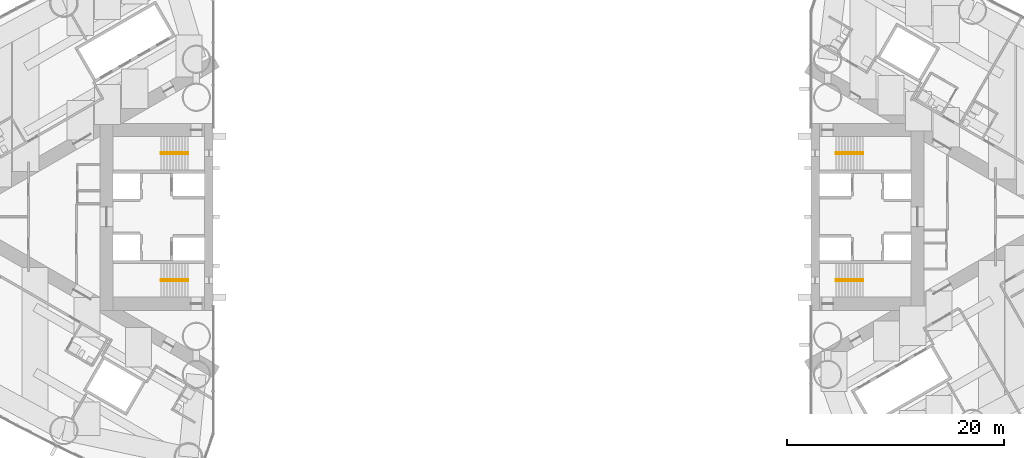
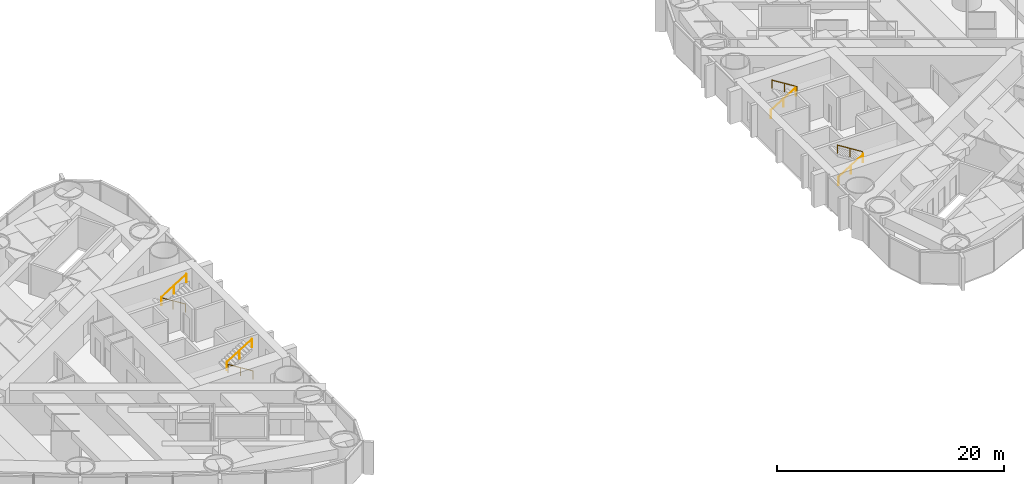
# One storey, part 18 of 19: 8 railings.
"""IFC4 building model written with IfcOpenShell, lengths in metres."""

from ifc_helpers import new_model, si_unit, direction, frame, origin, origin_2d, place, context, subcontext, project, spatial, circle, extrude, material, type_object, element, save


model = new_model("IFC4")

# Units and contexts
model_context = context("Model", 3, precision=1e-05, world=origin(), true_north=direction((0.0, 1.0)))
body_context = subcontext(model_context, "Body", "Model", "MODEL_VIEW")
ifc_project = project(units=[si_unit("LENGTHUNIT", "METRE"), si_unit("AREAUNIT", "SQUARE_METRE"), si_unit("VOLUMEUNIT", "CUBIC_METRE"), si_unit("PLANEANGLEUNIT", "RADIAN"), si_unit("MASSUNIT", "GRAM", prefix="KILO")], contexts=[model_context])

# Site, building, storey
site_placement = place(None, origin())
site = spatial("IfcSite", under=ifc_project, at=site_placement, CompositionType="ELEMENT")
building_placement = place(site_placement, origin())
building = spatial("IfcBuilding", under=site, at=building_placement, Name="Lancet Gate Hotel", CompositionType="ELEMENT")
storey_placement = place(building_placement, frame((0.0, 0.0, 122.10009765625)))
storey = spatial("IfcBuildingStorey", under=building, at=storey_placement, Name="L32", CompositionType="ELEMENT", Elevation=122.10009765625)

# Railings
ifc_material = material(Name="Stainless steel handrail", Category="steel")
railing_type = type_object("IfcRailingType", Name="Stair handrail 900", PredefinedType="HANDRAIL", material=ifc_material)
railing_1_placement = place(storey_placement, frame((-29.800048828125, 5.929931640625, 0.1748046875)))
element("IfcRailing", 1, at=railing_1_placement, inside=storey, type_object=railing_type, Name="ST1 handrail flight 1 L32", PredefinedType="HANDRAIL", context=body_context, shape_type="SweptSolid", body=[
    extrude(circle(Radius=0.02392578125, at=origin_2d()), frame((0.0, 0.0, 0.8759765625), z_axis=(-0.847970611238, 0.0, 0.530043245855), x_axis=(0.0, -1.0, 0.0)), (0.0, 0.0, 1.0), 2.971923828125),
    extrude(circle(Radius=0.02099609375, at=origin_2d()), origin(), (0.0, 0.0, 1.0), 0.851806640625),
    extrude(circle(Radius=0.02099609375, at=origin_2d()), frame((-1.260009765625, 0.0, 0.78759765625)), (0.0, 0.0, 1.0), 0.851806640625),
    extrude(circle(Radius=0.02099609375, at=origin_2d()), frame((-2.52001953125, 0.0, 1.5751953125)), (0.0, 0.0, 1.0), 0.851806640625),
])
railing_2_placement = place(storey_placement, frame((-32.320068359375, 5.77001953125, 1.9248046875)))
element("IfcRailing", 2, at=railing_2_placement, inside=storey, type_object=railing_type, Name="ST1 handrail flight 2 L32", PredefinedType="HANDRAIL", context=body_context, shape_type="SweptSolid", body=[
    extrude(circle(Radius=0.02392578125, at=origin_2d()), frame((0.0, 0.0, 0.8759765625), z_axis=(0.847970611238, 0.0, 0.530043245855), x_axis=(0.0, 1.0, 0.0)), (0.0, 0.0, 1.0), 2.971923828125),
    extrude(circle(Radius=0.02099609375, at=origin_2d()), origin(), (0.0, 0.0, 1.0), 0.851806640625),
    extrude(circle(Radius=0.02099609375, at=origin_2d()), frame((1.260009765625, 0.0, 0.78759765625)), (0.0, 0.0, 1.0), 0.851806640625),
    extrude(circle(Radius=0.02099609375, at=origin_2d()), frame((2.52001953125, 0.0, 1.5751953125)), (0.0, 0.0, 1.0), 0.851806640625),
])
railing_3_placement = place(storey_placement, frame((-29.800048828125, -5.929931640625, 0.1748046875)))
element("IfcRailing", 3, at=railing_3_placement, inside=storey, type_object=railing_type, Name="ST2 handrail flight 1 L32", PredefinedType="HANDRAIL", context=body_context, shape_type="SweptSolid", body=[
    extrude(circle(Radius=0.02392578125, at=origin_2d()), frame((0.0, 0.0, 0.8759765625), z_axis=(-0.847970611238, 0.0, 0.530043245855), x_axis=(0.0, -1.0, 0.0)), (0.0, 0.0, 1.0), 2.971923828125),
    extrude(circle(Radius=0.02099609375, at=origin_2d()), origin(), (0.0, 0.0, 1.0), 0.851806640625),
    extrude(circle(Radius=0.02099609375, at=origin_2d()), frame((-1.260009765625, 0.0, 0.78759765625)), (0.0, 0.0, 1.0), 0.851806640625),
    extrude(circle(Radius=0.02099609375, at=origin_2d()), frame((-2.52001953125, 0.0, 1.5751953125)), (0.0, 0.0, 1.0), 0.851806640625),
])
for number, where, name in (
    (4, (-32.320068359375, -5.77001953125, 1.9248046875), "ST2 handrail flight 2 L32"),
    (5, (29.800048828125, -5.929931640625, 0.1748046875), "ST3 handrail flight 1 L32"),
):
    element("IfcRailing", number, at=place(storey_placement, frame(where)), inside=storey, type_object=railing_type, Name=name, PredefinedType="HANDRAIL", context=body_context, shape_type="SweptSolid", body=[
        extrude(circle(Radius=0.02392578125, at=origin_2d()), frame((0.0, 0.0, 0.8759765625), z_axis=(0.847970611238, 0.0, 0.530043245855), x_axis=(0.0, 1.0, 0.0)), (0.0, 0.0, 1.0), 2.971923828125),
        extrude(circle(Radius=0.02099609375, at=origin_2d()), origin(), (0.0, 0.0, 1.0), 0.851806640625),
        extrude(circle(Radius=0.02099609375, at=origin_2d()), frame((1.260009765625, 0.0, 0.78759765625)), (0.0, 0.0, 1.0), 0.851806640625),
        extrude(circle(Radius=0.02099609375, at=origin_2d()), frame((2.52001953125, 0.0, 1.5751953125)), (0.0, 0.0, 1.0), 0.851806640625),
    ])
railing_4_placement = place(storey_placement, frame((32.320068359375, -5.77001953125, 1.9248046875)))
element("IfcRailing", 6, at=railing_4_placement, inside=storey, type_object=railing_type, Name="ST3 handrail flight 2 L32", PredefinedType="HANDRAIL", context=body_context, shape_type="SweptSolid", body=[
    extrude(circle(Radius=0.02392578125, at=origin_2d()), frame((0.0, 0.0, 0.8759765625), z_axis=(-0.847970611238, 0.0, 0.530043245855), x_axis=(0.0, -1.0, 0.0)), (0.0, 0.0, 1.0), 2.971923828125),
    extrude(circle(Radius=0.02099609375, at=origin_2d()), origin(), (0.0, 0.0, 1.0), 0.851806640625),
    extrude(circle(Radius=0.02099609375, at=origin_2d()), frame((-1.260009765625, 0.0, 0.78759765625)), (0.0, 0.0, 1.0), 0.851806640625),
    extrude(circle(Radius=0.02099609375, at=origin_2d()), frame((-2.52001953125, 0.0, 1.5751953125)), (0.0, 0.0, 1.0), 0.851806640625),
])
railing_5_placement = place(storey_placement, frame((29.800048828125, 5.929931640625, 0.1748046875)))
element("IfcRailing", 7, at=railing_5_placement, inside=storey, type_object=railing_type, Name="ST4 handrail flight 1 L32", PredefinedType="HANDRAIL", context=body_context, shape_type="SweptSolid", body=[
    extrude(circle(Radius=0.02392578125, at=origin_2d()), frame((0.0, 0.0, 0.8759765625), z_axis=(0.847970611238, 0.0, 0.530043245855), x_axis=(0.0, 1.0, 0.0)), (0.0, 0.0, 1.0), 2.971923828125),
    extrude(circle(Radius=0.02099609375, at=origin_2d()), origin(), (0.0, 0.0, 1.0), 0.851806640625),
    extrude(circle(Radius=0.02099609375, at=origin_2d()), frame((1.260009765625, 0.0, 0.78759765625)), (0.0, 0.0, 1.0), 0.851806640625),
    extrude(circle(Radius=0.02099609375, at=origin_2d()), frame((2.52001953125, 0.0, 1.5751953125)), (0.0, 0.0, 1.0), 0.851806640625),
])
railing_6_placement = place(storey_placement, frame((32.320068359375, 5.77001953125, 1.9248046875)))
element("IfcRailing", 8, at=railing_6_placement, inside=storey, type_object=railing_type, Name="ST4 handrail flight 2 L32", PredefinedType="HANDRAIL", context=body_context, shape_type="SweptSolid", body=[
    extrude(circle(Radius=0.02392578125, at=origin_2d()), frame((0.0, 0.0, 0.8759765625), z_axis=(-0.847970611238, 0.0, 0.530043245855), x_axis=(0.0, -1.0, 0.0)), (0.0, 0.0, 1.0), 2.971923828125),
    extrude(circle(Radius=0.02099609375, at=origin_2d()), origin(), (0.0, 0.0, 1.0), 0.851806640625),
    extrude(circle(Radius=0.02099609375, at=origin_2d()), frame((-1.260009765625, 0.0, 0.78759765625)), (0.0, 0.0, 1.0), 0.851806640625),
    extrude(circle(Radius=0.02099609375, at=origin_2d()), frame((-2.52001953125, 0.0, 1.5751953125)), (0.0, 0.0, 1.0), 0.851806640625),
])

save(model, "model.ifc")
